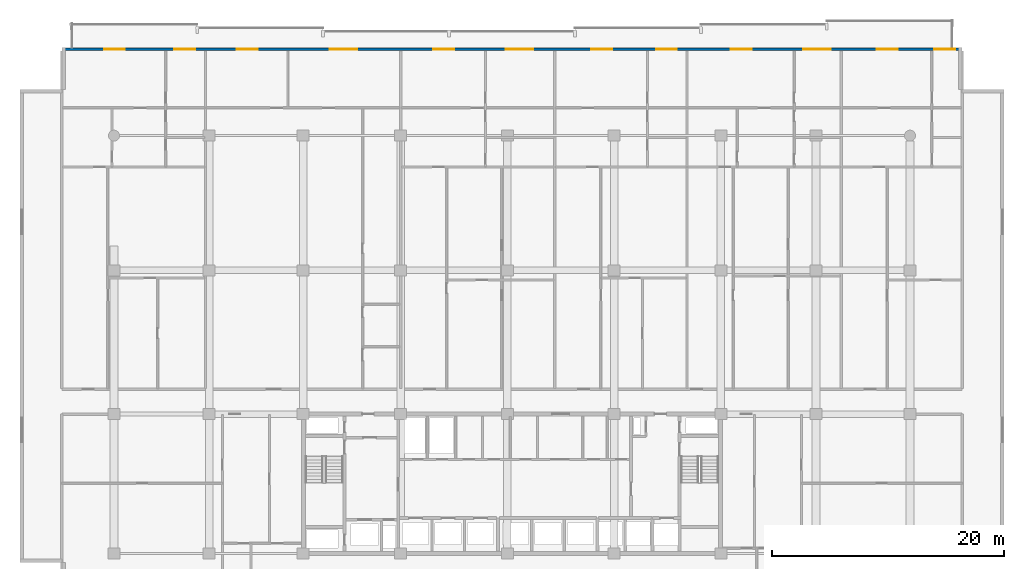
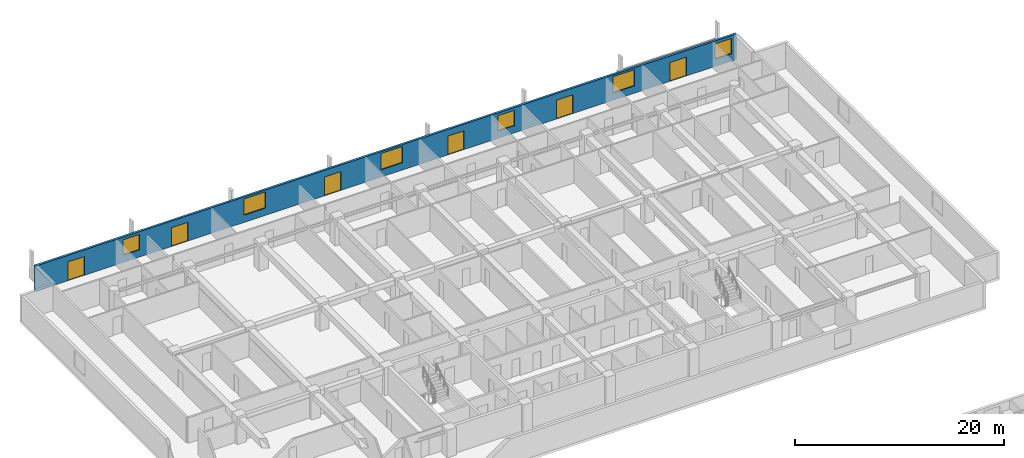
# One storey, part 16 of 23: 6 doors, 6 windows, 1 wall, 12 openings.
"""IFC4 building model written with IfcOpenShell, lengths in metres."""

from ifc_helpers import new_model, si_unit, direction, frame, frame_2d, origin, place, context, subcontext, project, spatial, rectangle, extrude, material, layer, layer_set, type_object, element, fill, save


model = new_model("IFC4")

# Units and contexts
model_context = context("Model", 3, precision=1e-05, world=origin(), true_north=direction((0.0, 1.0)))
body_context = subcontext(model_context, "Body", "Model", "MODEL_VIEW")
ifc_project = project(units=[si_unit("LENGTHUNIT", "METRE"), si_unit("AREAUNIT", "SQUARE_METRE"), si_unit("VOLUMEUNIT", "CUBIC_METRE"), si_unit("PLANEANGLEUNIT", "RADIAN"), si_unit("MASSUNIT", "GRAM", prefix="KILO")], contexts=[model_context])

# Site, building, storey
site_placement = place(None, origin())
site = spatial("IfcSite", under=ifc_project, at=site_placement, CompositionType="ELEMENT")
building_placement = place(site_placement, origin())
building = spatial("IfcBuilding", under=site, at=building_placement, Name="Korimba Cascade Residences", CompositionType="ELEMENT")
storey_placement = place(building_placement, frame((0.0, 0.0, 40.25)))
storey = spatial("IfcBuildingStorey", under=building, at=storey_placement, Name="L10", CompositionType="ELEMENT", Elevation=40.25)

# Wall, openings, doors, windows
ifc_material_1 = material(Name="Precast concrete C40/50", Category="concrete")
ifc_layer = layer(ifc_material_1, 0.25)
ifc_layer_set = layer_set([ifc_layer], Name="Precast concrete C40/50")
wall_type = type_object("IfcWallType", Name="EW-LOG-250", PredefinedType="STANDARD", material=ifc_layer_set)
wall_placement = place(storey_placement, frame((132.89990234375, 98.64990234375, 0.0), z_axis=(0.0, 0.0, 1.0), x_axis=(-1.0, 0.0, 0.0)))
wall = element("IfcWall", 1, at=wall_placement, inside=storey, type_object=wall_type, Name="L10 T1 Perimeter Stone Wall E06", PredefinedType="STANDARD", context=body_context, shape_type="SweptSolid", body=[
    extrude(rectangle(XDim=77.599853515625, YDim=0.25, at=frame_2d((38.7998046875, 0.0))), origin(), (0.0, 0.0, 1.0), 2.969970703125),
])
opening_1_placement = place(wall_placement, frame((72.159912109375, 0.0, 0.0)))
opening_1 = element("IfcOpeningElement", 2, at=opening_1_placement, cuts=wall, Name="Opening D-LG1", PredefinedType="OPENING", context=body_context, shape_type="SweptSolid", body=[
    extrude(rectangle(XDim=1.800048828125, YDim=2.199951171875, at=frame_2d((0.89990234375, 1.10009765625))), frame((0.0, 0.135009765625, 0.0), z_axis=(0.0, -1.0, 0.0), x_axis=(1.0, 0.0, 0.0)), (0.0, 0.0, 1.0), 0.27001953125),
])
opening_2_placement = place(wall_placement, frame((66.08984375, 0.0, 0.85009765625)))
opening_2 = element("IfcOpeningElement", 3, at=opening_2_placement, cuts=wall, Name="Opening W-02", PredefinedType="OPENING", context=body_context, shape_type="SweptSolid", body=[
    extrude(rectangle(XDim=1.800048828125, YDim=1.800048828125, at=frame_2d((0.89990234375, 0.89990234375))), frame((0.0, 0.135009765625, 0.0), z_axis=(0.0, -1.0, 0.0), x_axis=(1.0, 0.0, 0.0)), (0.0, 0.0, 1.0), 0.27001953125),
])
opening_3_placement = place(wall_placement, frame((60.70751953125, 0.0, 0.0)))
opening_3 = element("IfcOpeningElement", 4, at=opening_3_placement, cuts=wall, Name="Opening D-LG1", PredefinedType="OPENING", context=body_context, shape_type="SweptSolid", body=[
    extrude(rectangle(XDim=1.800048828125, YDim=2.199951171875, at=frame_2d((0.89990234375, 1.10009765625))), frame((0.0, 0.135009765625, 0.0), z_axis=(0.0, -1.0, 0.0), x_axis=(1.0, 0.0, 0.0)), (0.0, 0.0, 1.0), 0.27001953125),
])
opening_4_placement = place(wall_placement, frame((52.117919921875, 0.0, 0.85009765625)))
opening_4 = element("IfcOpeningElement", 5, at=opening_4_placement, cuts=wall, Name="Opening W-01", PredefinedType="OPENING", context=body_context, shape_type="SweptSolid", body=[
    extrude(rectangle(XDim=2.39990234375, YDim=1.89990234375, at=frame_2d((1.199951171875, 0.949951171875))), frame((0.0, 0.135009765625, 0.0), z_axis=(0.0, -1.0, 0.0), x_axis=(1.0, 0.0, 0.0)), (0.0, 0.0, 1.0), 0.27001953125),
])
opening_5_placement = place(wall_placement, frame((43.7802734375, 0.0, 0.0)))
opening_5 = element("IfcOpeningElement", 6, at=opening_5_placement, cuts=wall, Name="Opening D-LG1", PredefinedType="OPENING", context=body_context, shape_type="SweptSolid", body=[
    extrude(rectangle(XDim=1.800048828125, YDim=2.199951171875, at=frame_2d((0.89990234375, 1.10009765625))), frame((0.0, 0.135009765625, 0.0), z_axis=(0.0, -1.0, 0.0), x_axis=(1.0, 0.0, 0.0)), (0.0, 0.0, 1.0), 0.27001953125),
])
opening_6_placement = place(wall_placement, frame((36.958984375, 0.0, 0.85009765625)))
opening_6 = element("IfcOpeningElement", 7, at=opening_6_placement, cuts=wall, Name="Opening W-01", PredefinedType="OPENING", context=body_context, shape_type="SweptSolid", body=[
    extrude(rectangle(XDim=2.39990234375, YDim=1.89990234375, at=frame_2d((1.199951171875, 0.949951171875))), frame((0.0, 0.135009765625, 0.0), z_axis=(0.0, -1.0, 0.0), x_axis=(1.0, 0.0, 0.0)), (0.0, 0.0, 1.0), 0.27001953125),
])
opening_7_placement = place(wall_placement, frame((30.165283203125, 0.0, 0.0)))
opening_7 = element("IfcOpeningElement", 8, at=opening_7_placement, cuts=wall, Name="Opening D-LG1", PredefinedType="OPENING", context=body_context, shape_type="SweptSolid", body=[
    extrude(rectangle(XDim=1.800048828125, YDim=2.199951171875, at=frame_2d((0.89990234375, 1.10009765625))), frame((0.0, 0.135009765625, 0.0), z_axis=(0.0, -1.0, 0.0), x_axis=(1.0, 0.0, 0.0)), (0.0, 0.0, 1.0), 0.27001953125),
])
opening_8_placement = place(wall_placement, frame((24.582763671875, 0.0, 0.85009765625)))
opening_8 = element("IfcOpeningElement", 9, at=opening_8_placement, cuts=wall, Name="Opening W-02", PredefinedType="OPENING", context=body_context, shape_type="SweptSolid", body=[
    extrude(rectangle(XDim=1.800048828125, YDim=1.800048828125, at=frame_2d((0.89990234375, 0.89990234375))), frame((0.0, 0.135009765625, 0.0), z_axis=(0.0, -1.0, 0.0), x_axis=(1.0, 0.0, 0.0)), (0.0, 0.0, 1.0), 0.27001953125),
])
opening_9_placement = place(wall_placement, frame((18.136474609375, 0.0, 0.0)))
opening_9 = element("IfcOpeningElement", 10, at=opening_9_placement, cuts=wall, Name="Opening D-LG1", PredefinedType="OPENING", context=body_context, shape_type="SweptSolid", body=[
    extrude(rectangle(XDim=1.800048828125, YDim=2.199951171875, at=frame_2d((0.89990234375, 1.10009765625))), frame((0.0, 0.135009765625, 0.0), z_axis=(0.0, -1.0, 0.0), x_axis=(1.0, 0.0, 0.0)), (0.0, 0.0, 1.0), 0.27001953125),
])
opening_10_placement = place(wall_placement, frame((11.315185546875, 0.0, 0.85009765625)))
opening_10 = element("IfcOpeningElement", 11, at=opening_10_placement, cuts=wall, Name="Opening W-01", PredefinedType="OPENING", context=body_context, shape_type="SweptSolid", body=[
    extrude(rectangle(XDim=2.39990234375, YDim=1.89990234375, at=frame_2d((1.199951171875, 0.949951171875))), frame((0.0, 0.135009765625, 0.0), z_axis=(0.0, -1.0, 0.0), x_axis=(1.0, 0.0, 0.0)), (0.0, 0.0, 1.0), 0.27001953125),
])
opening_11_placement = place(wall_placement, frame((5.565185546875, 0.0, 0.0)))
opening_11 = element("IfcOpeningElement", 12, at=opening_11_placement, cuts=wall, Name="Opening D-LG1", PredefinedType="OPENING", context=body_context, shape_type="SweptSolid", body=[
    extrude(rectangle(XDim=1.800048828125, YDim=2.199951171875, at=frame_2d((0.89990234375, 1.10009765625))), frame((0.0, 0.135009765625, 0.0), z_axis=(0.0, -1.0, 0.0), x_axis=(1.0, 0.0, 0.0)), (0.0, 0.0, 1.0), 0.27001953125),
])
opening_12_placement = place(wall_placement, frame((0.60009765625, 0.0, 0.85009765625)))
opening_12 = element("IfcOpeningElement", 13, at=opening_12_placement, cuts=wall, Name="Opening W-02", PredefinedType="OPENING", context=body_context, shape_type="SweptSolid", body=[
    extrude(rectangle(XDim=1.800048828125, YDim=1.800048828125, at=frame_2d((0.89990234375, 0.89990234375))), frame((0.0, 0.135009765625, 0.0), z_axis=(0.0, -1.0, 0.0), x_axis=(1.0, 0.0, 0.0)), (0.0, 0.0, 1.0), 0.27001953125),
])
ifc_material_2 = material(Name="Glazed Aluminium Loggia Sliding Door", Category="aluminium")
door_type = type_object("IfcDoorType", Name="DR-EXT-LOG", OperationType="NOTDEFINED", PredefinedType="DOOR", material=ifc_material_2)
door_1_placement = place(opening_1_placement, origin())
door_1 = element("IfcDoor", 14, at=door_1_placement, inside=storey, type_object=door_type, Name="L10 T1 Loggia Sliding Door 3", OperationType="SLIDING_TO_LEFT", OverallHeight=2.199951171875, OverallWidth=1.800048828125, PredefinedType="DOOR", context=body_context, shape_type="SweptSolid", body=[
    extrude(rectangle(XDim=1.800048828125, YDim=2.199951171875, at=frame_2d((0.89990234375, 1.10009765625))), frame((0.0, 0.02490234375, 0.0), z_axis=(0.0, -1.0, 0.0), x_axis=(1.0, 0.0, 0.0)), (0.0, 0.0, 1.0), 0.050048828125),
])
fill(opening_1, door_1)
door_2_placement = place(opening_3_placement, origin())
door_2 = element("IfcDoor", 15, at=door_2_placement, inside=storey, type_object=door_type, Name="L10 T1 Loggia Sliding Door 5", OperationType="SLIDING_TO_LEFT", OverallHeight=2.199951171875, OverallWidth=1.800048828125, PredefinedType="DOOR", context=body_context, shape_type="SweptSolid", body=[
    extrude(rectangle(XDim=1.800048828125, YDim=2.199951171875, at=frame_2d((0.89990234375, 1.10009765625))), frame((0.0, 0.02490234375, 0.0), z_axis=(0.0, -1.0, 0.0), x_axis=(1.0, 0.0, 0.0)), (0.0, 0.0, 1.0), 0.050048828125),
])
fill(opening_3, door_2)
door_3_placement = place(opening_5_placement, origin())
door_3 = element("IfcDoor", 16, at=door_3_placement, inside=storey, type_object=door_type, Name="L10 T1 Loggia Sliding Door 7", OperationType="SLIDING_TO_LEFT", OverallHeight=2.199951171875, OverallWidth=1.800048828125, PredefinedType="DOOR", context=body_context, shape_type="SweptSolid", body=[
    extrude(rectangle(XDim=1.800048828125, YDim=2.199951171875, at=frame_2d((0.89990234375, 1.10009765625))), frame((0.0, 0.02490234375, 0.0), z_axis=(0.0, -1.0, 0.0), x_axis=(1.0, 0.0, 0.0)), (0.0, 0.0, 1.0), 0.050048828125),
])
fill(opening_5, door_3)
door_4_placement = place(opening_7_placement, origin())
door_4 = element("IfcDoor", 17, at=door_4_placement, inside=storey, type_object=door_type, Name="L10 T1 Loggia Sliding Door 9", OperationType="SLIDING_TO_LEFT", OverallHeight=2.199951171875, OverallWidth=1.800048828125, PredefinedType="DOOR", context=body_context, shape_type="SweptSolid", body=[
    extrude(rectangle(XDim=1.800048828125, YDim=2.199951171875, at=frame_2d((0.89990234375, 1.10009765625))), frame((0.0, 0.02490234375, 0.0), z_axis=(0.0, -1.0, 0.0), x_axis=(1.0, 0.0, 0.0)), (0.0, 0.0, 1.0), 0.050048828125),
])
fill(opening_7, door_4)
door_5_placement = place(opening_9_placement, origin())
door_5 = element("IfcDoor", 18, at=door_5_placement, inside=storey, type_object=door_type, Name="L10 T1 Loggia Sliding Door 11", OperationType="SLIDING_TO_LEFT", OverallHeight=2.199951171875, OverallWidth=1.800048828125, PredefinedType="DOOR", context=body_context, shape_type="SweptSolid", body=[
    extrude(rectangle(XDim=1.800048828125, YDim=2.199951171875, at=frame_2d((0.89990234375, 1.10009765625))), frame((0.0, 0.02490234375, 0.0), z_axis=(0.0, -1.0, 0.0), x_axis=(1.0, 0.0, 0.0)), (0.0, 0.0, 1.0), 0.050048828125),
])
fill(opening_9, door_5)
door_6_placement = place(opening_11_placement, origin())
door_6 = element("IfcDoor", 19, at=door_6_placement, inside=storey, type_object=door_type, Name="L10 T1 Loggia Sliding Door 13", OperationType="SLIDING_TO_LEFT", OverallHeight=2.199951171875, OverallWidth=1.800048828125, PredefinedType="DOOR", context=body_context, shape_type="SweptSolid", body=[
    extrude(rectangle(XDim=1.800048828125, YDim=2.199951171875, at=frame_2d((0.89990234375, 1.10009765625))), frame((0.0, 0.02490234375, 0.0), z_axis=(0.0, -1.0, 0.0), x_axis=(1.0, 0.0, 0.0)), (0.0, 0.0, 1.0), 0.050048828125),
])
fill(opening_11, door_6)
ifc_material_3 = material(Name="Double-Glazed Aluminium Window", Category="aluminium")
window_type_1 = type_object("IfcWindowType", Name="WIN-BED-1800", PartitioningType="SINGLE_PANEL", PredefinedType="WINDOW", material=ifc_material_3)
window_1_placement = place(opening_2_placement, origin())
window_1 = element("IfcWindow", 20, at=window_1_placement, inside=storey, type_object=window_type_1, Name="L10 T1 North Facade Window 4", OverallHeight=1.800048828125, OverallWidth=1.800048828125, PartitioningType="SINGLE_PANEL", PredefinedType="WINDOW", context=body_context, shape_type="SweptSolid", body=[
    extrude(rectangle(XDim=1.800048828125, YDim=1.800048828125, at=frame_2d((0.89990234375, 0.89990234375))), frame((0.0, 0.030029296875, 0.0), z_axis=(0.0, -1.0, 0.0), x_axis=(1.0, 0.0, 0.0)), (0.0, 0.0, 1.0), 0.06005859375),
])
fill(opening_2, window_1)
window_2_placement = place(opening_8_placement, origin())
window_2 = element("IfcWindow", 21, at=window_2_placement, inside=storey, type_object=window_type_1, Name="L10 T1 North Facade Window 10", OverallHeight=1.800048828125, OverallWidth=1.800048828125, PartitioningType="SINGLE_PANEL", PredefinedType="WINDOW", context=body_context, shape_type="SweptSolid", body=[
    extrude(rectangle(XDim=1.800048828125, YDim=1.800048828125, at=frame_2d((0.89990234375, 0.89990234375))), frame((0.0, 0.030029296875, 0.0), z_axis=(0.0, -1.0, 0.0), x_axis=(1.0, 0.0, 0.0)), (0.0, 0.0, 1.0), 0.06005859375),
])
fill(opening_8, window_2)
window_3_placement = place(opening_12_placement, origin())
window_3 = element("IfcWindow", 22, at=window_3_placement, inside=storey, type_object=window_type_1, Name="L10 T1 North Facade Window 14", OverallHeight=1.800048828125, OverallWidth=1.800048828125, PartitioningType="SINGLE_PANEL", PredefinedType="WINDOW", context=body_context, shape_type="SweptSolid", body=[
    extrude(rectangle(XDim=1.800048828125, YDim=1.800048828125, at=frame_2d((0.89990234375, 0.89990234375))), frame((0.0, 0.030029296875, 0.0), z_axis=(0.0, -1.0, 0.0), x_axis=(1.0, 0.0, 0.0)), (0.0, 0.0, 1.0), 0.06005859375),
])
fill(opening_12, window_3)
window_type_2 = type_object("IfcWindowType", Name="WIN-RES-2400", PartitioningType="DOUBLE_PANEL_VERTICAL", PredefinedType="WINDOW", material=ifc_material_3)
window_4_placement = place(opening_4_placement, origin())
window_4 = element("IfcWindow", 23, at=window_4_placement, inside=storey, type_object=window_type_2, Name="L10 T1 North Facade Window 6", OverallHeight=1.89990234375, OverallWidth=2.39990234375, PartitioningType="DOUBLE_PANEL_VERTICAL", PredefinedType="WINDOW", context=body_context, shape_type="SweptSolid", body=[
    extrude(rectangle(XDim=2.39990234375, YDim=1.89990234375, at=frame_2d((1.199951171875, 0.949951171875))), frame((0.0, 0.030029296875, 0.0), z_axis=(0.0, -1.0, 0.0), x_axis=(1.0, 0.0, 0.0)), (0.0, 0.0, 1.0), 0.06005859375),
])
fill(opening_4, window_4)
window_5_placement = place(opening_6_placement, origin())
window_5 = element("IfcWindow", 24, at=window_5_placement, inside=storey, type_object=window_type_2, Name="L10 T1 North Facade Window 8", OverallHeight=1.89990234375, OverallWidth=2.39990234375, PartitioningType="DOUBLE_PANEL_VERTICAL", PredefinedType="WINDOW", context=body_context, shape_type="SweptSolid", body=[
    extrude(rectangle(XDim=2.39990234375, YDim=1.89990234375, at=frame_2d((1.199951171875, 0.949951171875))), frame((0.0, 0.030029296875, 0.0), z_axis=(0.0, -1.0, 0.0), x_axis=(1.0, 0.0, 0.0)), (0.0, 0.0, 1.0), 0.06005859375),
])
fill(opening_6, window_5)
window_6_placement = place(opening_10_placement, origin())
window_6 = element("IfcWindow", 25, at=window_6_placement, inside=storey, type_object=window_type_2, Name="L10 T1 North Facade Window 12", OverallHeight=1.89990234375, OverallWidth=2.39990234375, PartitioningType="DOUBLE_PANEL_VERTICAL", PredefinedType="WINDOW", context=body_context, shape_type="SweptSolid", body=[
    extrude(rectangle(XDim=2.39990234375, YDim=1.89990234375, at=frame_2d((1.199951171875, 0.949951171875))), frame((0.0, 0.030029296875, 0.0), z_axis=(0.0, -1.0, 0.0), x_axis=(1.0, 0.0, 0.0)), (0.0, 0.0, 1.0), 0.06005859375),
])
fill(opening_10, window_6)

save(model, "model.ifc")
